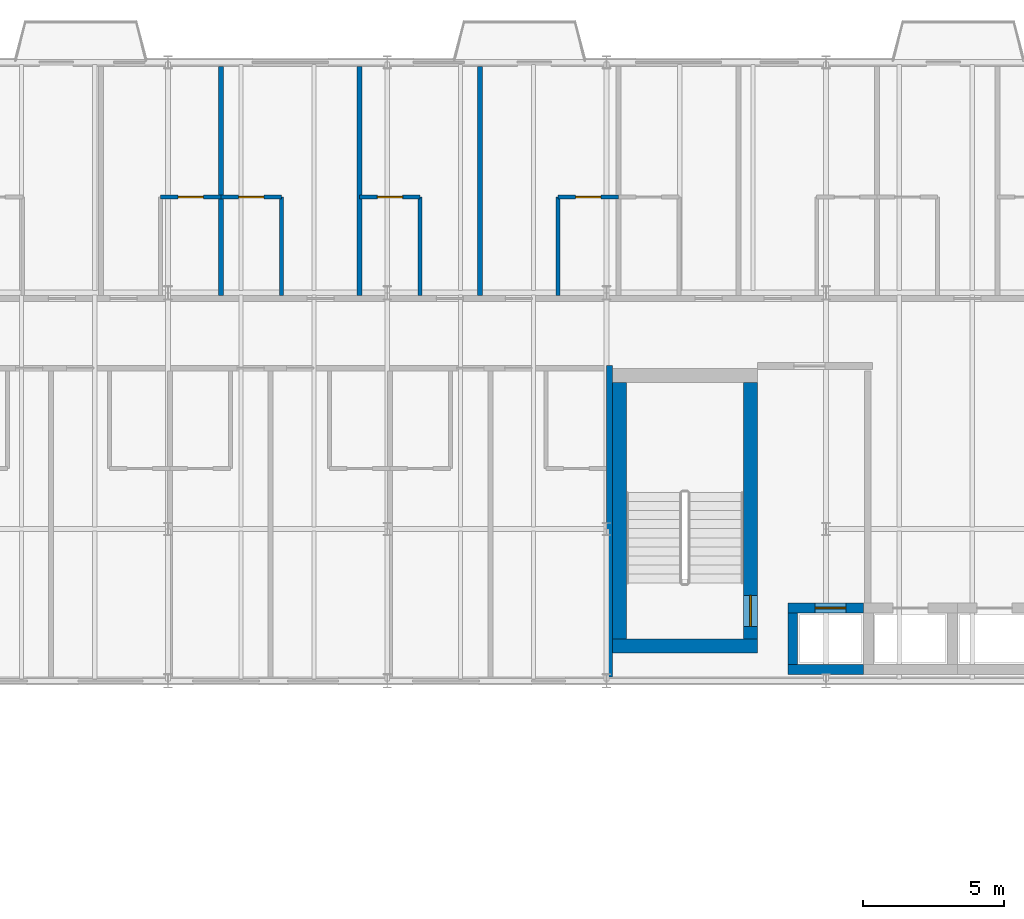
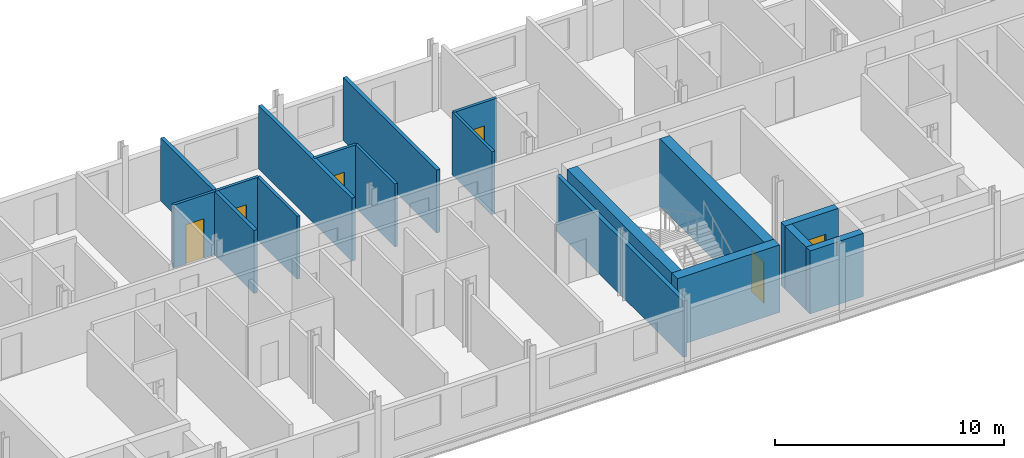
# One storey, part 23 of 34: 17 walls, 6 doors, 6 openings.
"""IFC4 building model written with IfcOpenShell, lengths in metres."""

import ifcopenshell
import ifcopenshell.guid

model = None  # the IFC model being written
_history = None  # IfcOwnerHistory: only IFC2X3 demands one
_inside = {}  # id of a spatial element -> (the spatial element, [elements in it])
_under = {}  # id of a project, library or spatial element -> (it, [spatial elements below it])
_declared = {}  # id of a project -> (the project, [libraries it declares])
_typed = {}  # id of a type object -> (the type object, [elements of that type])
_made_of = {}  # id of a material, layer set ... -> (it, [elements and type objects made of it])


def new_model(schema):
    """Start an empty IFC model of exactly this schema.

    Asked for "IFC4X3", IfcOpenShell would pick the latest addendum, in which some entities
    have other attributes; the version numbers below select the first issue.
    IFC2X3 requires an IfcOwnerHistory on every rooted entity: one is made here for all.
    """
    global model, _history
    if schema == "IFC4X3":
        model = ifcopenshell.file(schema_version=(4, 3, 0, 0))
    else:
        model = ifcopenshell.file(schema=schema)
    _inside.clear()
    _under.clear()
    _declared.clear()
    _typed.clear()
    _made_of.clear()
    _history = None
    if model.schema == "IFC2X3":
        org = make("IfcOrganization", Name="unknown")
        user = make(
            "IfcPersonAndOrganization",
            ThePerson=make("IfcPerson", FamilyName="unknown"),
            TheOrganization=org,
        )
        app = make(
            "IfcApplication",
            ApplicationDeveloper=org,
            Version="unknown",
            ApplicationFullName="unknown",
            ApplicationIdentifier="unknown",
        )
        _history = make(
            "IfcOwnerHistory",
            OwningUser=user,
            OwningApplication=app,
            ChangeAction="ADDED",
            CreationDate=0,
        )
    return model


def make(cls, **values):
    """One entity of the class cls with the attributes given. An attribute that is None is left unset."""
    return model.create_entity(
        cls, **{name: value for name, value in values.items() if value is not None}
    )


def rooted(cls, **values):
    """An entity with a GlobalId (a new one), such as an element, a storey or a relation."""
    return make(cls, GlobalId=ifcopenshell.guid.new(), OwnerHistory=_history, **values)


def si_unit(unit_type, name, prefix=None):
    """IfcSIUnit, for example si_unit("LENGTHUNIT", "METRE", prefix="MILLI")."""
    return make("IfcSIUnit", UnitType=unit_type, Prefix=prefix, Name=name)


def assignment(units):
    """IfcUnitAssignment: the units of a project."""
    return None if units is None else make("IfcUnitAssignment", Units=units)


def point(xyz):
    """IfcCartesianPoint."""
    return None if xyz is None else make("IfcCartesianPoint", Coordinates=xyz)


def direction(xyz):
    """IfcDirection."""
    return None if xyz is None else make("IfcDirection", DirectionRatios=xyz)


def frame(location, z_axis=None, x_axis=None):
    """IfcAxis2Placement3D, a coordinate frame: its origin and axes. An axis left out is left unset."""
    return make(
        "IfcAxis2Placement3D",
        Location=point(location),
        Axis=direction(z_axis),
        RefDirection=direction(x_axis),
    )


def frame_2d(location, x_axis=None):
    """IfcAxis2Placement2D, a coordinate frame in the plane: its origin and x axis."""
    return make(
        "IfcAxis2Placement2D", Location=point(location), RefDirection=direction(x_axis)
    )


def origin():
    """The frame at (0, 0, 0) with its axes left unset."""
    return frame((0.0, 0.0, 0.0))


def place(relative_to, where):
    """IfcLocalPlacement: puts the frame where relative to a parent placement (None: the world)."""
    return make(
        "IfcLocalPlacement", PlacementRelTo=relative_to, RelativePlacement=where
    )


def context(
    kind, dimensions, precision=None, world=None, true_north=None, identifier=None
):
    """IfcGeometricRepresentationContext, for example the 3D "Model" context."""
    return make(
        "IfcGeometricRepresentationContext",
        ContextIdentifier=identifier,
        ContextType=kind,
        CoordinateSpaceDimension=dimensions,
        Precision=precision,
        WorldCoordinateSystem=world,
        TrueNorth=true_north,
    )


def subcontext(parent, identifier, kind, view, scale=None):
    """IfcGeometricRepresentationSubContext, for example "Body" below "Model"."""
    return make(
        "IfcGeometricRepresentationSubContext",
        ContextIdentifier=identifier,
        ContextType=kind,
        ParentContext=parent,
        TargetScale=scale,
        TargetView=view,
    )


def project(units=None, contexts=None):
    """IfcProject with its units and contexts."""
    return rooted(
        "IfcProject",
        Name="project",
        RepresentationContexts=contexts,
        UnitsInContext=assignment(units),
    )


def spatial(cls, under=None, at=None, **own):
    """A site, building, storey or space (cls), placed at a placement, below another one or the project."""
    s = rooted(cls, ObjectPlacement=at, **own)
    if under is not None:
        _under.setdefault(under.id(), (under, []))[1].append(s)
    return s


def profile(cls, at=None, kind="AREA", **sizes):
    """A parametric profile (cls). Its sizes go by their IFC names, for example OverallWidth=200.0."""
    return make(cls, ProfileType=kind, Position=at, **sizes)


def rectangle(**sizes):
    """IfcRectangleProfileDef."""
    return profile("IfcRectangleProfileDef", **sizes)


def extrude(swept, where, along, depth):
    """IfcExtrudedAreaSolid: the profile swept, set in the frame where, extruded along a direction by depth."""
    return make(
        "IfcExtrudedAreaSolid",
        SweptArea=swept,
        Position=where,
        ExtrudedDirection=direction(along),
        Depth=depth,
    )


def shape(context_of_items, identifier, shape_type, items):
    """IfcShapeRepresentation: the items that make up one representation, for example the "Body"."""
    return make(
        "IfcShapeRepresentation",
        ContextOfItems=context_of_items,
        RepresentationIdentifier=identifier,
        RepresentationType=shape_type,
        Items=items,
    )


def material(Name=None, Category=None):
    """IfcMaterial."""
    return make("IfcMaterial", Name=Name, Category=Category)


def layer(
    of_material, thickness, ventilated=None, Name=None, Category=None, Priority=None
):
    """IfcMaterialLayer: one layer of a wall or slab, of a material (None: an air gap)."""
    return make(
        "IfcMaterialLayer",
        Material=of_material,
        LayerThickness=thickness,
        IsVentilated=ventilated,
        Name=Name,
        Category=Category,
        Priority=Priority,
    )


def layer_set(layers, Name=None):
    """IfcMaterialLayerSet."""
    return make("IfcMaterialLayerSet", MaterialLayers=layers, LayerSetName=Name)


def made_of(thing, what):
    """Note that an element or type object is made of a material, layer set ...; save() writes the relation."""
    if what is not None:
        _made_of.setdefault(what.id(), (what, []))[1].append(thing)
    return thing


def type_object(cls, material=None, **own):
    """A type object (cls), such as IfcWallType, which elements share."""
    return made_of(rooted(cls, **own), material)


def element(
    cls,
    number,
    at=None,
    inside=None,
    cuts=None,
    type_object=None,
    material=None,
    context=None,
    identifier="Body",
    shape_type=None,
    held_by="IfcProductDefinitionShape",
    body=None,
    shapes=None,
    **own,
):
    """One element of the class cls, such as IfcWall. Its Tag is "e" and its number.

    at: its placement. inside: the storey or other place that contains it. cuts: it is an
    opening in that element (IfcRelVoidsElement). A single representation is given by context,
    identifier, shape_type and body (its items); several are given by shapes. held_by: the class
    of the entity that holds the representations. save() writes the other relations.
    """
    e = rooted(cls, Tag="e%d" % number, ObjectPlacement=at, **own)
    if body is not None:
        shapes = [shape(context, identifier, shape_type, body)]
    if shapes is not None:
        e.Representation = make(held_by, Representations=shapes)
    if inside is not None:
        _inside.setdefault(inside.id(), (inside, []))[1].append(e)
    if cuts is not None:
        rooted(
            "IfcRelVoidsElement", RelatingBuildingElement=cuts, RelatedOpeningElement=e
        )
    if type_object is not None:
        _typed.setdefault(type_object.id(), (type_object, []))[1].append(e)
    return made_of(e, material)


def fill(opening, filler):
    """IfcRelFillsElement: the door or window that sits in an opening."""
    return rooted(
        "IfcRelFillsElement",
        RelatingOpeningElement=opening,
        RelatedBuildingElement=filler,
    )


def aggregate(whole, parts):
    """IfcRelAggregates: a whole, such as a stair, and the parts it consists of."""
    return rooted("IfcRelAggregates", RelatingObject=whole, RelatedObjects=parts)


def save(model, path):
    """Write the relations noted so far, then the file.

    IfcRelAggregates (storeys below a building ...), IfcRelContainedInSpatialStructure (elements
    in a storey), IfcRelDefinesByType, IfcRelAssociatesMaterial and IfcRelDeclares: one each for
    every whole, place, type object, material and project.
    """
    for whole, parts in _under.values():
        aggregate(whole, parts)
    for where, things in _inside.values():
        rooted(
            "IfcRelContainedInSpatialStructure",
            RelatedElements=things,
            RelatingStructure=where,
        )
    for kind, things in _typed.values():
        rooted("IfcRelDefinesByType", RelatedObjects=things, RelatingType=kind)
    for what, things in _made_of.values():
        rooted("IfcRelAssociatesMaterial", RelatedObjects=things, RelatingMaterial=what)
    for by, libraries in _declared.values():
        rooted("IfcRelDeclares", RelatingContext=by, RelatedDefinitions=libraries)
    model.write(path)


model = new_model("IFC4")

# Units and contexts
model_context = context("Model", 3, precision=1e-05, world=origin(), true_north=direction((0.0, 1.0)))
body_context = subcontext(model_context, "Body", "Model", "MODEL_VIEW")
ifc_project = project(units=[si_unit("LENGTHUNIT", "METRE"), si_unit("AREAUNIT", "SQUARE_METRE"), si_unit("VOLUMEUNIT", "CUBIC_METRE"), si_unit("PLANEANGLEUNIT", "RADIAN"), si_unit("MASSUNIT", "GRAM", prefix="KILO")], contexts=[model_context])

# Site, building, storey
site_placement = place(None, origin())
site = spatial("IfcSite", under=ifc_project, at=site_placement, CompositionType="ELEMENT")
building_placement = place(site_placement, origin())
building = spatial("IfcBuilding", under=site, at=building_placement, Name="Sefraquen Railside Congress Hotel", CompositionType="ELEMENT")
storey_placement = place(building_placement, frame((0.0, 0.0, 31.800048828125)))
storey = spatial("IfcBuildingStorey", under=building, at=storey_placement, Name="L07", CompositionType="ELEMENT", Elevation=31.800048828125)

# Wall, opening, door
ifc_material_1 = material(Name="Concrete C50/60", Category="concrete")
ifc_layer_1 = layer(ifc_material_1, 0.35009765625)
ifc_layer_set_1 = layer_set([ifc_layer_1], Name="Concrete C50/60")
wall_type_1 = type_object("IfcWallType", Name="TW-CW-350", PredefinedType="SHEAR", material=ifc_layer_set_1)
wall_1_placement = place(storey_placement, frame((70.639892578125, 98.594970703125, 0.0), z_axis=(0.0, 0.0, 1.0), x_axis=(1.0, 0.0, 0.0)))
wall_1 = element("IfcWall", 1, at=wall_1_placement, inside=storey, type_object=wall_type_1, Name="Lift FL-03 shaft wall N L07", PredefinedType="SHEAR", context=body_context, shape_type="SweptSolid", body=[
    extrude(rectangle(XDim=2.690185546875, YDim=0.35009765625, at=frame_2d((1.34521484375, 0.0))), origin(), (0.0, 0.0, 1.0), 3.35986328125),
])
opening_1_placement = place(wall_1_placement, frame((0.969970703125, 0.0, 0.0)))
opening_1 = element("IfcOpeningElement", 2, at=opening_1_placement, cuts=wall_1, Name="Opening LD-01", PredefinedType="OPENING", context=body_context, shape_type="SweptSolid", body=[
    extrude(rectangle(XDim=1.10009765625, YDim=2.199951171875, at=frame_2d((0.550048828125, 1.10009765625))), frame((0.0, 0.18505859375, 0.0), z_axis=(0.0, -1.0, 0.0), x_axis=(1.0, 0.0, 0.0)), (0.0, 0.0, 1.0), 0.3701171875),
])
ifc_material_2 = material(Name="Brushed bronze stainless steel", Category="steel")
door_type_1 = type_object("IfcDoorType", Name="TD-LD-01", OperationType="NOTDEFINED", PredefinedType="DOOR", material=ifc_material_2)
door_1_placement = place(opening_1_placement, origin())
door_1 = element("IfcDoor", 3, at=door_1_placement, inside=storey, type_object=door_type_1, Name="Lift landing door FL-03 L07", OperationType="SLIDING_TO_LEFT", OverallHeight=2.199951171875, OverallWidth=1.10009765625, PredefinedType="DOOR", context=body_context, shape_type="SweptSolid", body=[
    extrude(rectangle(XDim=1.10009765625, YDim=2.199951171875, at=frame_2d((0.550048828125, 1.10009765625))), frame((0.0, 0.02490234375, 0.0), z_axis=(0.0, -1.0, 0.0), x_axis=(1.0, 0.0, 0.0)), (0.0, 0.0, 1.0), 0.050048828125),
])
fill(opening_1, door_1)

# Walls
wall_2_placement = place(storey_placement, frame((70.639892578125, 96.405029296875, 0.0), z_axis=(0.0, 0.0, 1.0), x_axis=(1.0, 0.0, 0.0)))
element("IfcWall", 4, at=wall_2_placement, inside=storey, type_object=wall_type_1, Name="Lift FL-03 shaft wall S L07", PredefinedType="SHEAR", context=body_context, shape_type="SweptSolid", body=[
    extrude(rectangle(XDim=2.690185546875, YDim=0.35009765625, at=frame_2d((1.34521484375, 0.0))), origin(), (0.0, 0.0, 1.0), 3.35986328125),
])
wall_3_placement = place(storey_placement, frame((70.81494140625, 96.580078125, 0.0), z_axis=(0.0, 0.0, 1.0), x_axis=(0.0, 1.0, 0.0)))
element("IfcWall", 5, at=wall_3_placement, inside=storey, type_object=wall_type_1, Name="Lift FL-03 shaft wall W L07", PredefinedType="SHEAR", context=body_context, shape_type="SweptSolid", body=[
    extrude(rectangle(XDim=1.83984375, YDim=0.35009765625, at=frame_2d((0.919921875, 0.0))), origin(), (0.0, 0.0, 1.0), 3.35986328125),
])
ifc_layer_2 = layer(ifc_material_1, 0.5)
ifc_layer_set_2 = layer_set([ifc_layer_2], Name="Concrete C50/60")
wall_type_2 = type_object("IfcWallType", Name="TW-CW-500", PredefinedType="SHEAR", material=ifc_layer_set_2)
wall_4_placement = place(storey_placement, frame((64.39990234375, 97.25, 0.0), z_axis=(0.0, 0.0, 1.0), x_axis=(1.0, 0.0, 0.0)))
element("IfcWall", 6, at=wall_4_placement, inside=storey, type_object=wall_type_2, Name="Core shear wall ST-H03 S L07", PredefinedType="SHEAR", context=body_context, shape_type="SweptSolid", body=[
    extrude(rectangle(XDim=5.16015625, YDim=0.5, at=frame_2d((2.580078125, 0.0))), origin(), (0.0, 0.0, 1.0), 3.599853515625),
])
wall_5_placement = place(storey_placement, frame((64.64990234375, 97.5, 0.0), z_axis=(0.0, 0.0, 1.0), x_axis=(0.0, 1.0, 0.0)))
element("IfcWall", 7, at=wall_5_placement, inside=storey, type_object=wall_type_2, Name="Core shear wall ST-H03 W L07", PredefinedType="SHEAR", context=body_context, shape_type="SweptSolid", body=[
    extrude(rectangle(XDim=9.112060546875, YDim=0.5, at=frame_2d((4.55615234375, 0.0))), origin(), (0.0, 0.0, 1.0), 3.599853515625),
])

# Wall, opening, door
wall_6_placement = place(storey_placement, frame((69.31005859375, 97.5, 0.0), z_axis=(0.0, 0.0, 1.0), x_axis=(0.0, 1.0, 0.0)))
wall_6 = element("IfcWall", 8, at=wall_6_placement, inside=storey, type_object=wall_type_2, Name="Core shear wall ST-H03 E L07", PredefinedType="SHEAR", context=body_context, shape_type="SweptSolid", body=[
    extrude(rectangle(XDim=9.112060546875, YDim=0.5, at=frame_2d((4.55615234375, 0.0))), origin(), (0.0, 0.0, 1.0), 3.599853515625),
])
opening_2_placement = place(wall_6_placement, frame((0.43994140625, 0.0, 0.0)))
opening_2 = element("IfcOpeningElement", 9, at=opening_2_placement, cuts=wall_6, Name="Opening FD-04", PredefinedType="OPENING", context=body_context, shape_type="SweptSolid", body=[
    extrude(rectangle(XDim=1.10009765625, YDim=2.199951171875, at=frame_2d((0.550048828125, 1.10009765625))), frame((0.0, 0.260009765625, 0.0), z_axis=(0.0, -1.0, 0.0), x_axis=(1.0, 0.0, 0.0)), (0.0, 0.0, 1.0), 0.52001953125),
])
ifc_material_3 = material(Name="Fire-rated steel", Category="steel")
door_type_2 = type_object("IfcDoorType", Name="TD-FD-04", OperationType="NOTDEFINED", PredefinedType="DOOR", material=ifc_material_3)
door_2_placement = place(opening_2_placement, origin())
door_2 = element("IfcDoor", 10, at=door_2_placement, inside=storey, type_object=door_type_2, Name="Pressurized stair ST-H03 fire door L07", OperationType="SINGLE_SWING_LEFT", OverallHeight=2.199951171875, OverallWidth=1.10009765625, PredefinedType="DOOR", context=body_context, shape_type="SweptSolid", body=[
    extrude(rectangle(XDim=1.10009765625, YDim=2.199951171875, at=frame_2d((0.550048828125, 1.10009765625))), frame((0.0, 0.02490234375, 0.0), z_axis=(0.0, -1.0, 0.0), x_axis=(1.0, 0.0, 0.0)), (0.0, 0.0, 1.0), 0.050048828125),
])
fill(opening_2, door_2)

ifc_material_4 = material(Name="Moisture-resistant gypsum board", Category="gypsum")
ifc_layer_3 = layer(ifc_material_4, 0.139892578125)
ifc_layer_set_3 = layer_set([ifc_layer_3], Name="Moisture-resistant gypsum board")
wall_type_3 = type_object("IfcWallType", Name="TW-PW-140", PredefinedType="PARTITIONING", material=ifc_layer_set_3)
wall_7_placement = place(storey_placement, frame((48.340087890625, 113.199951171875, 0.0), z_axis=(0.0, 0.0, 1.0), x_axis=(1.0, 0.0, 0.0)))
wall_7 = element("IfcWall", 11, at=wall_7_placement, inside=storey, type_object=wall_type_3, Name="En-suite bathroom north wall RM-006", PredefinedType="PARTITIONING", context=body_context, shape_type="SweptSolid", body=[
    extrude(rectangle(XDim=2.14990234375, YDim=0.139892578125, at=frame_2d((1.074951171875, 0.0))), origin(), (0.0, 0.0, 1.0), 3.35986328125),
])
opening_3_placement = place(wall_7_placement, frame((0.625, 0.0, 0.0)))
opening_3 = element("IfcOpeningElement", 12, at=opening_3_placement, cuts=wall_7, Name="Opening ID-02", PredefinedType="OPENING", context=body_context, shape_type="SweptSolid", body=[
    extrude(rectangle(XDim=0.89990234375, YDim=2.10009765625, at=frame_2d((0.449951171875, 1.050048828125))), frame((0.0, 0.079833984375, 0.0), z_axis=(0.0, -1.0, 0.0), x_axis=(1.0, 0.0, 0.0)), (0.0, 0.0, 1.0), 0.159912109375),
])
ifc_material_5 = material(Name="Lacquered cedar joinery", Category="wood")
door_type_3 = type_object("IfcDoorType", Name="TD-ID-02", OperationType="NOTDEFINED", PredefinedType="DOOR", material=ifc_material_5)
door_3_placement = place(opening_3_placement, origin())
door_3 = element("IfcDoor", 13, at=door_3_placement, inside=storey, type_object=door_type_3, Name="En-suite bathroom door RM-006", OperationType="SINGLE_SWING_LEFT", OverallHeight=2.10009765625, OverallWidth=0.89990234375, PredefinedType="DOOR", context=body_context, shape_type="SweptSolid", body=[
    extrude(rectangle(XDim=0.89990234375, YDim=2.10009765625, at=frame_2d((0.449951171875, 1.050048828125))), frame((0.0, 0.02490234375, 0.0), z_axis=(0.0, -1.0, 0.0), x_axis=(1.0, 0.0, 0.0)), (0.0, 0.0, 1.0), 0.050048828125),
])
fill(opening_3, door_3)

# Wall
wall_8_placement = place(storey_placement, frame((52.639892578125, 109.699951171875, 0.0), z_axis=(0.0, 0.0, 1.0), x_axis=(0.0, 1.0, 0.0)))
element("IfcWall", 14, at=wall_8_placement, inside=storey, type_object=wall_type_3, Name="En-suite bathroom east wall RM-007", PredefinedType="PARTITIONING", context=body_context, shape_type="SweptSolid", body=[
    extrude(rectangle(XDim=3.5, YDim=0.139892578125, at=frame_2d((1.75, 0.0))), origin(), (0.0, 0.0, 1.0), 3.35986328125),
])

# Wall, opening, door
wall_9_placement = place(storey_placement, frame((50.489990234375, 113.199951171875, 0.0), z_axis=(0.0, 0.0, 1.0), x_axis=(1.0, 0.0, 0.0)))
wall_9 = element("IfcWall", 15, at=wall_9_placement, inside=storey, type_object=wall_type_3, Name="En-suite bathroom north wall RM-007", PredefinedType="PARTITIONING", context=body_context, shape_type="SweptSolid", body=[
    extrude(rectangle(XDim=2.14990234375, YDim=0.139892578125, at=frame_2d((1.074951171875, 0.0))), origin(), (0.0, 0.0, 1.0), 3.35986328125),
])
opening_4_placement = place(wall_9_placement, frame((0.625, 0.0, 0.0)))
opening_4 = element("IfcOpeningElement", 16, at=opening_4_placement, cuts=wall_9, Name="Opening ID-02", PredefinedType="OPENING", context=body_context, shape_type="SweptSolid", body=[
    extrude(rectangle(XDim=0.89990234375, YDim=2.10009765625, at=frame_2d((0.449951171875, 1.050048828125))), frame((0.0, 0.079833984375, 0.0), z_axis=(0.0, -1.0, 0.0), x_axis=(1.0, 0.0, 0.0)), (0.0, 0.0, 1.0), 0.159912109375),
])
door_4_placement = place(opening_4_placement, origin())
door_4 = element("IfcDoor", 17, at=door_4_placement, inside=storey, type_object=door_type_3, Name="En-suite bathroom door RM-007", OperationType="SINGLE_SWING_LEFT", OverallHeight=2.10009765625, OverallWidth=0.89990234375, PredefinedType="DOOR", context=body_context, shape_type="SweptSolid", body=[
    extrude(rectangle(XDim=0.89990234375, YDim=2.10009765625, at=frame_2d((0.449951171875, 1.050048828125))), frame((0.0, 0.02490234375, 0.0), z_axis=(0.0, -1.0, 0.0), x_axis=(1.0, 0.0, 0.0)), (0.0, 0.0, 1.0), 0.050048828125),
])
fill(opening_4, door_4)

# Wall
wall_10_placement = place(storey_placement, frame((57.570068359375, 109.699951171875, 0.0), z_axis=(0.0, 0.0, 1.0), x_axis=(0.0, 1.0, 0.0)))
element("IfcWall", 18, at=wall_10_placement, inside=storey, type_object=wall_type_3, Name="En-suite bathroom east wall RM-008", PredefinedType="PARTITIONING", context=body_context, shape_type="SweptSolid", body=[
    extrude(rectangle(XDim=3.5, YDim=0.139892578125, at=frame_2d((1.75, 0.0))), origin(), (0.0, 0.0, 1.0), 3.35986328125),
])

# Wall, opening, door
wall_11_placement = place(storey_placement, frame((55.419921875, 113.199951171875, 0.0), z_axis=(0.0, 0.0, 1.0), x_axis=(1.0, 0.0, 0.0)))
wall_11 = element("IfcWall", 19, at=wall_11_placement, inside=storey, type_object=wall_type_3, Name="En-suite bathroom north wall RM-008", PredefinedType="PARTITIONING", context=body_context, shape_type="SweptSolid", body=[
    extrude(rectangle(XDim=2.150146484375, YDim=0.139892578125, at=frame_2d((1.0751953125, 0.0))), origin(), (0.0, 0.0, 1.0), 3.35986328125),
])
opening_5_placement = place(wall_11_placement, frame((0.625, 0.0, 0.0)))
opening_5 = element("IfcOpeningElement", 20, at=opening_5_placement, cuts=wall_11, Name="Opening ID-02", PredefinedType="OPENING", context=body_context, shape_type="SweptSolid", body=[
    extrude(rectangle(XDim=0.89990234375, YDim=2.10009765625, at=frame_2d((0.449951171875, 1.050048828125))), frame((0.0, 0.079833984375, 0.0), z_axis=(0.0, -1.0, 0.0), x_axis=(1.0, 0.0, 0.0)), (0.0, 0.0, 1.0), 0.159912109375),
])
door_5_placement = place(opening_5_placement, origin())
door_5 = element("IfcDoor", 21, at=door_5_placement, inside=storey, type_object=door_type_3, Name="En-suite bathroom door RM-008", OperationType="SINGLE_SWING_LEFT", OverallHeight=2.10009765625, OverallWidth=0.89990234375, PredefinedType="DOOR", context=body_context, shape_type="SweptSolid", body=[
    extrude(rectangle(XDim=0.89990234375, YDim=2.10009765625, at=frame_2d((0.449951171875, 1.050048828125))), frame((0.0, 0.02490234375, 0.0), z_axis=(0.0, -1.0, 0.0), x_axis=(1.0, 0.0, 0.0)), (0.0, 0.0, 1.0), 0.050048828125),
])
fill(opening_5, door_5)

# Wall
wall_12_placement = place(storey_placement, frame((62.469970703125, 109.699951171875, 0.0), z_axis=(0.0, 0.0, 1.0), x_axis=(0.0, 1.0, 0.0)))
element("IfcWall", 22, at=wall_12_placement, inside=storey, type_object=wall_type_3, Name="En-suite bathroom west wall RM-009", PredefinedType="PARTITIONING", context=body_context, shape_type="SweptSolid", body=[
    extrude(rectangle(XDim=3.5, YDim=0.139892578125, at=frame_2d((1.75, 0.0))), origin(), (0.0, 0.0, 1.0), 3.35986328125),
])

# Wall, opening, door
wall_13_placement = place(storey_placement, frame((62.469970703125, 113.199951171875, 0.0), z_axis=(0.0, 0.0, 1.0), x_axis=(1.0, 0.0, 0.0)))
wall_13 = element("IfcWall", 23, at=wall_13_placement, inside=storey, type_object=wall_type_3, Name="En-suite bathroom north wall RM-009", PredefinedType="PARTITIONING", context=body_context, shape_type="SweptSolid", body=[
    extrude(rectangle(XDim=2.150146484375, YDim=0.139892578125, at=frame_2d((1.0751953125, 0.0))), origin(), (0.0, 0.0, 1.0), 3.35986328125),
])
opening_6_placement = place(wall_13_placement, frame((0.625, 0.0, 0.0)))
opening_6 = element("IfcOpeningElement", 24, at=opening_6_placement, cuts=wall_13, Name="Opening ID-02", PredefinedType="OPENING", context=body_context, shape_type="SweptSolid", body=[
    extrude(rectangle(XDim=0.89990234375, YDim=2.10009765625, at=frame_2d((0.449951171875, 1.050048828125))), frame((0.0, 0.079833984375, 0.0), z_axis=(0.0, -1.0, 0.0), x_axis=(1.0, 0.0, 0.0)), (0.0, 0.0, 1.0), 0.159912109375),
])
door_6_placement = place(opening_6_placement, origin())
door_6 = element("IfcDoor", 25, at=door_6_placement, inside=storey, type_object=door_type_3, Name="En-suite bathroom door RM-009", OperationType="SINGLE_SWING_LEFT", OverallHeight=2.10009765625, OverallWidth=0.89990234375, PredefinedType="DOOR", context=body_context, shape_type="SweptSolid", body=[
    extrude(rectangle(XDim=0.89990234375, YDim=2.10009765625, at=frame_2d((0.449951171875, 1.050048828125))), frame((0.0, 0.02490234375, 0.0), z_axis=(0.0, -1.0, 0.0), x_axis=(1.0, 0.0, 0.0)), (0.0, 0.0, 1.0), 0.050048828125),
])
fill(opening_6, door_6)

# Walls
ifc_material_6 = material(Name="Acoustic gypsum board on metal stud", Category="gypsum")
ifc_layer_4 = layer(ifc_material_6, 0.179931640625)
ifc_layer_set_4 = layer_set([ifc_layer_4], Name="Acoustic gypsum board on metal stud")
wall_type_4 = type_object("IfcWallType", Name="TW-PW-180", PredefinedType="PARTITIONING", material=ifc_layer_set_4)
for number, where, z_axis, x_axis, name in (
    (26, (50.489990234375, 109.699951171875, 0.0), (0.0, 0.0, 1.0), (0.0, 1.0, 0.0), "Guest room demising wall RM-006"),
    (27, (55.419921875, 109.699951171875, 0.0), (0.0, 0.0, 1.0), (0.0, 1.0, 0.0), "Guest room demising wall RM-007"),
    (28, (59.68994140625, 109.699951171875, 0.0), (0.0, 0.0, 1.0), (0.0, 1.0, 0.0), "Guest room demising wall RM-008"),
):
    element("IfcWall", number, at=place(storey_placement, frame(where, z_axis=z_axis, x_axis=x_axis)), inside=storey, type_object=wall_type_4, Name=name, PredefinedType="PARTITIONING", context=body_context, shape_type="SweptSolid", body=[
        extrude(rectangle(XDim=8.150146484375, YDim=0.179931640625, at=frame_2d((4.0751953125, 0.0))), origin(), (0.0, 0.0, 1.0), 3.35986328125),
    ])
ifc_layer_5 = layer(ifc_material_6, 0.199951171875)
ifc_layer_set_5 = layer_set([ifc_layer_5], Name="Acoustic gypsum board on metal stud")
wall_type_5 = type_object("IfcWallType", Name="TW-PW-200", PredefinedType="PARTITIONING", material=ifc_layer_set_5)
wall_14_placement = place(storey_placement, frame((64.300048828125, 96.139892578125, 0.0), z_axis=(0.0, 0.0, 1.0), x_axis=(0.0, 1.0, 0.0)))
element("IfcWall", 29, at=wall_14_placement, inside=storey, type_object=wall_type_5, Name="Hotel L07 south-mid east end fire-rated partition", PredefinedType="PARTITIONING", context=body_context, shape_type="SweptSolid", body=[
    extrude(rectangle(XDim=11.080078125, YDim=0.199951171875, at=frame_2d((5.5400390625, 0.0))), origin(), (0.0, 0.0, 1.0), 2.989990234375),
])

save(model, "model.ifc")
